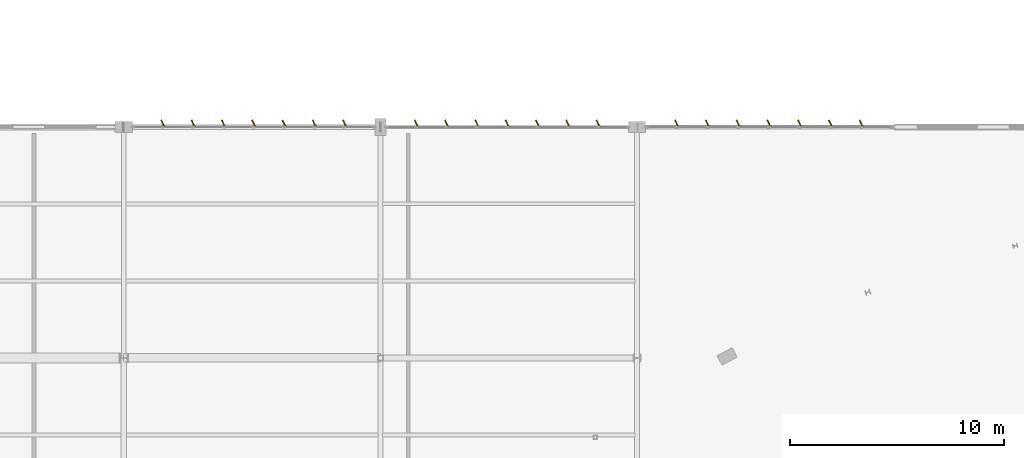
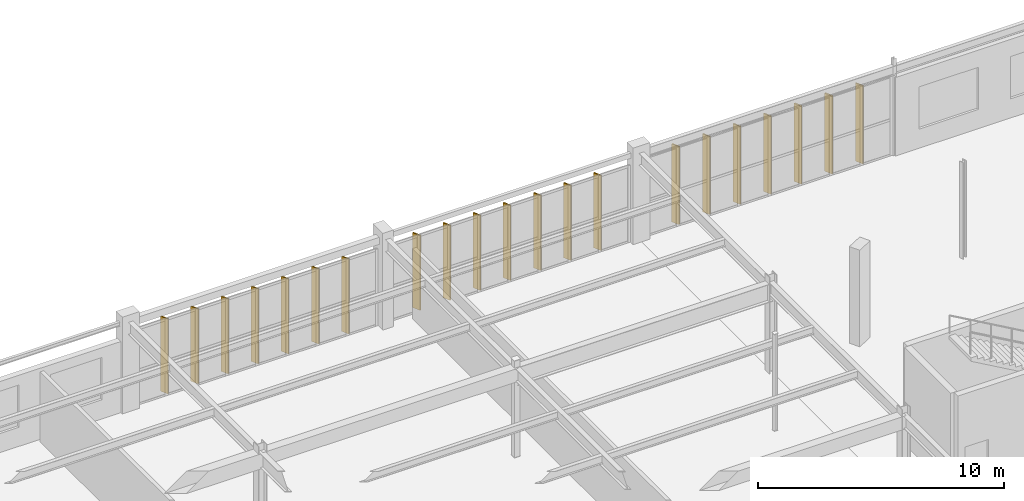
# One storey, part 195 of 199: 21 shading devices.
"""IFC4 building model written with IfcOpenShell, lengths in metres."""

from ifc_helpers import new_model, si_unit, direction, frame, origin, origin_2d, place, context, subcontext, project, spatial, rectangle, extrude, material, layer, layer_set, type_object, element, save


model = new_model("IFC4")

# Units and contexts
model_context = context("Model", 3, precision=1e-05, world=origin(), true_north=direction((0.0, 1.0)))
body_context = subcontext(model_context, "Body", "Model", "MODEL_VIEW")
ifc_project = project(units=[si_unit("LENGTHUNIT", "METRE"), si_unit("AREAUNIT", "SQUARE_METRE"), si_unit("VOLUMEUNIT", "CUBIC_METRE"), si_unit("PLANEANGLEUNIT", "RADIAN"), si_unit("MASSUNIT", "GRAM", prefix="KILO")], contexts=[model_context])

# Site, building, storey
site_placement = place(None, origin())
site = spatial("IfcSite", under=ifc_project, at=site_placement, CompositionType="ELEMENT")
building_placement = place(site_placement, origin())
building = spatial("IfcBuilding", under=site, at=building_placement, Name="Tarnwether General Hospital", CompositionType="ELEMENT")
storey_placement = place(building_placement, origin())
storey = spatial("IfcBuildingStorey", under=building, at=storey_placement, Name="L00", CompositionType="ELEMENT", Elevation=0.0)

# Shading devices
ifc_material = material(Name="Champagne-bronze anodised aluminium", Category="aluminium")
ifc_layer = layer(ifc_material, 0.06005859375)
ifc_layer_set = layer_set([ifc_layer], Name="Champagne-bronze anodised aluminium")
shading_device_type = type_object("IfcShadingDeviceType", Name="SH-FIN-BRZ", PredefinedType="USERDEFINED", material=ifc_layer_set)
for number, where, z_axis, x_axis, name in (
    (1, (37.824951171875, 126.159912109375, 0.05029296875), (0.0, 0.0, 1.0), (0.906307787037, 0.422618261741, 0.0), "Champagne-Bronze Brise-Soleil Fin 0003"),
    (2, (39.241943359375, 126.159912109375, 0.05029296875), (0.0, 0.0, 1.0), (0.906307787037, 0.422618261741, 0.0), "Champagne-Bronze Brise-Soleil Fin 0004"),
    (3, (40.657958984375, 126.159912109375, 0.05029296875), (0.0, 0.0, 1.0), (0.906307787037, 0.422618261741, 0.0), "Champagne-Bronze Brise-Soleil Fin 0005"),
    (4, (42.074951171875, 126.159912109375, 0.05029296875), (0.0, 0.0, 1.0), (0.906307787037, 0.422618261741, 0.0), "Champagne-Bronze Brise-Soleil Fin 0006"),
    (5, (43.491943359375, 126.159912109375, 0.05029296875), (0.0, 0.0, 1.0), (0.906307787037, 0.422618261741, 0.0), "Champagne-Bronze Brise-Soleil Fin 0007"),
    (6, (44.908935546875, 126.159912109375, 0.05029296875), (0.0, 0.0, 1.0), (0.906307787037, 0.422618261741, 0.0), "Champagne-Bronze Brise-Soleil Fin 0008"),
    (7, (46.324951171875, 126.159912109375, 0.05029296875), (0.0, 0.0, 1.0), (0.906307787037, 0.422618261741, 0.0), "Champagne-Bronze Brise-Soleil Fin 0009"),
    (8, (49.675048828125, 126.159912109375, 0.05029296875), (0.0, 0.0, 1.0), (0.906307787037, 0.422618261741, 0.0), "Champagne-Bronze Brise-Soleil Fin 0010"),
    (9, (51.091064453125, 126.159912109375, 0.05029296875), (0.0, 0.0, 1.0), (0.906307787037, 0.422618261741, 0.0), "Champagne-Bronze Brise-Soleil Fin 0011"),
    (10, (52.508056640625, 126.159912109375, 0.05029296875), (0.0, 0.0, 1.0), (0.906307787037, 0.422618261741, 0.0), "Champagne-Bronze Brise-Soleil Fin 0012"),
    (11, (53.925048828125, 126.159912109375, 0.05029296875), (0.0, 0.0, 1.0), (0.906307787037, 0.422618261741, 0.0), "Champagne-Bronze Brise-Soleil Fin 0013"),
    (12, (55.342041015625, 126.159912109375, 0.05029296875), (0.0, 0.0, 1.0), (0.906307787037, 0.422618261741, 0.0), "Champagne-Bronze Brise-Soleil Fin 0014"),
    (13, (56.758056640625, 126.159912109375, 0.05029296875), (0.0, 0.0, 1.0), (0.906307787037, 0.422618261741, 0.0), "Champagne-Bronze Brise-Soleil Fin 0015"),
    (14, (58.175048828125, 126.159912109375, 0.05029296875), (0.0, 0.0, 1.0), (0.906307787037, 0.422618261741, 0.0), "Champagne-Bronze Brise-Soleil Fin 0016"),
):
    element("IfcShadingDevice", number, at=place(storey_placement, frame(where, z_axis=z_axis, x_axis=x_axis)), inside=storey, type_object=shading_device_type, Name=name, ObjectType="SOLAR FIN", PredefinedType="USERDEFINED", context=body_context, shape_type="SweptSolid", body=[
        extrude(rectangle(XDim=0.06005859375, YDim=0.360107421875, at=origin_2d()), origin(), (0.0, 0.0, 1.0), 3.722900390625),
    ])
for number, where, z_axis, x_axis, name in (
    (15, (61.845947265625, 126.159912109375, 0.050048828125), (0.0, 0.0, 1.0), (0.906307787037, 0.422618261741, 0.0), "Champagne-Bronze Brise-Soleil Fin 0017"),
    (16, (63.284912109375, 126.159912109375, 0.050048828125), (0.0, 0.0, 1.0), (0.906307787037, 0.422618261741, 0.0), "Champagne-Bronze Brise-Soleil Fin 0018"),
    (17, (64.722900390625, 126.159912109375, 0.050048828125), (0.0, 0.0, 1.0), (0.906307787037, 0.422618261741, 0.0), "Champagne-Bronze Brise-Soleil Fin 0019"),
    (18, (66.162109375, 126.159912109375, 0.050048828125), (0.0, 0.0, 1.0), (0.906307787037, 0.422618261741, 0.0), "Champagne-Bronze Brise-Soleil Fin 0020"),
    (19, (67.60009765625, 126.159912109375, 0.050048828125), (0.0, 0.0, 1.0), (0.906307787037, 0.422618261741, 0.0), "Champagne-Bronze Brise-Soleil Fin 0021"),
    (20, (69.0390625, 126.159912109375, 0.050048828125), (0.0, 0.0, 1.0), (0.906307787037, 0.422618261741, 0.0), "Champagne-Bronze Brise-Soleil Fin 0022"),
    (21, (70.47705078125, 126.159912109375, 0.050048828125), (0.0, 0.0, 1.0), (0.906307787037, 0.422618261741, 0.0), "Champagne-Bronze Brise-Soleil Fin 0023"),
):
    element("IfcShadingDevice", number, at=place(storey_placement, frame(where, z_axis=z_axis, x_axis=x_axis)), inside=storey, type_object=shading_device_type, Name=name, ObjectType="SOLAR FIN", PredefinedType="USERDEFINED", context=body_context, shape_type="SweptSolid", body=[
        extrude(rectangle(XDim=0.06005859375, YDim=0.360107421875, at=origin_2d()), origin(), (0.0, 0.0, 1.0), 3.8759765625),
    ])

save(model, "model.ifc")
